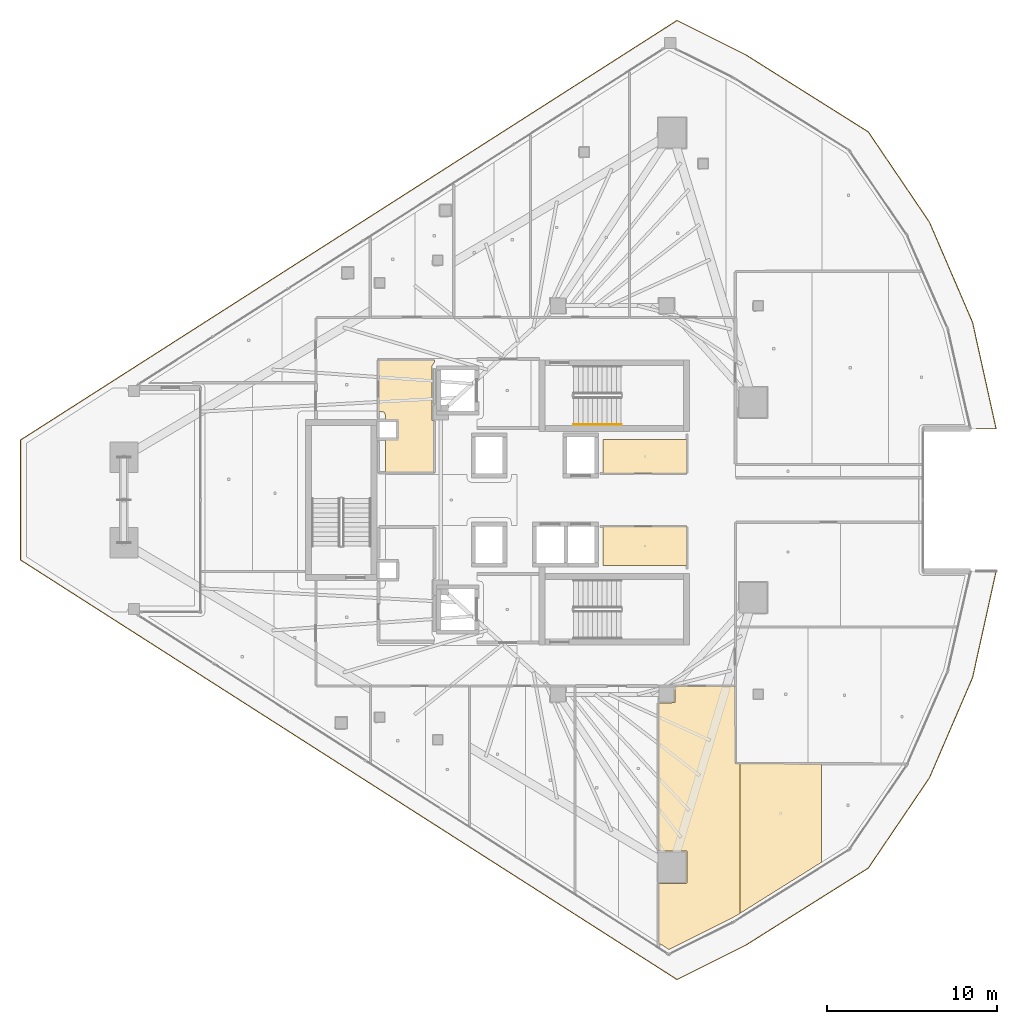
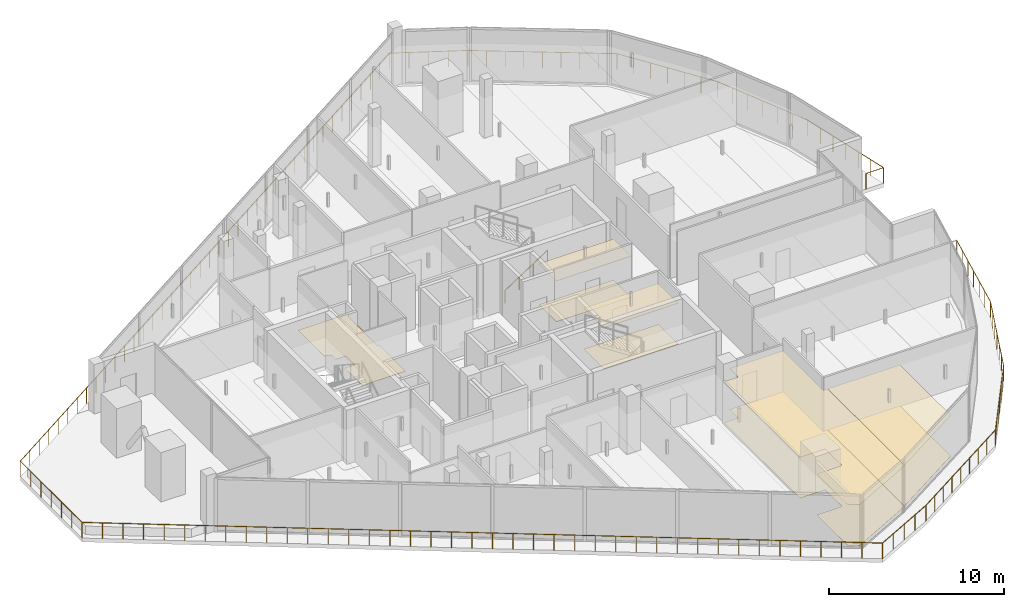
# One storey, part 33 of 36: 9 coverings, 2 railings.
"""IFC4 building model written with IfcOpenShell, lengths in metres."""

from ifc_helpers import new_model, si_unit, direction, frame, origin, origin_2d, place, context, subcontext, project, spatial, polyline, circle, outline, extrude, material, layer, layer_set, type_object, element, save


model = new_model("IFC4")

# Units and contexts
model_context = context("Model", 3, precision=1e-05, world=origin(), true_north=direction((0.0, 1.0)))
body_context = subcontext(model_context, "Body", "Model", "MODEL_VIEW")
ifc_project = project(units=[si_unit("LENGTHUNIT", "METRE"), si_unit("AREAUNIT", "SQUARE_METRE"), si_unit("VOLUMEUNIT", "CUBIC_METRE"), si_unit("PLANEANGLEUNIT", "RADIAN"), si_unit("MASSUNIT", "GRAM", prefix="KILO")], contexts=[model_context])

# Site, building, storey
site_placement = place(None, origin())
site = spatial("IfcSite", under=ifc_project, at=site_placement, CompositionType="ELEMENT")
building_placement = place(site_placement, origin())
building = spatial("IfcBuilding", under=site, at=building_placement, Name="Qorvath Tower", CompositionType="ELEMENT")
storey_placement = place(building_placement, frame((0.0, 0.0, 229.35009765625)))
storey = spatial("IfcBuildingStorey", under=building, at=storey_placement, Name="L53", CompositionType="ELEMENT", Elevation=229.35009765625)

# Coverings
ifc_material_1 = material(Name="Acoustic mineral fibre ceiling tile", Category="gypsum")
ifc_layer_1 = layer(ifc_material_1, 0.030029296875)
ifc_layer_set_1 = layer_set([ifc_layer_1], Name="COV-CEIL")
covering_type_1 = type_object("IfcCoveringType", Name="COV-CEIL", PredefinedType="CEILING", material=ifc_layer_set_1)
covering_1_placement = place(storey_placement, frame((0.0, 0.0, 2.849853515625)))
element("IfcCovering", 1, at=covering_1_placement, inside=storey, type_object=covering_type_1, Name="L53 Suspended Acoustic Ceiling 003", PredefinedType="CEILING", context=body_context, shape_type="SweptSolid", body=[
    extrude(outline(polyline([(-16.0048828125, 3.56005859375), (-20.93994140625, 3.56005859375), (-20.93994140625, 1.56494140625), (-16.0048828125, 1.56494140625), (-16.0048828125, 3.56005859375)])), origin(), (0.0, 0.0, 1.0), 0.030029296875),
])
covering_2_placement = place(storey_placement, frame((0.0, 0.0, 2.849853515625)))
element("IfcCovering", 2, at=covering_2_placement, inside=storey, type_object=covering_type_1, Name="L53 Suspended Acoustic Ceiling 004", PredefinedType="CEILING", context=body_context, shape_type="SweptSolid", body=[
    extrude(outline(polyline([(-20.93994140625, -1.56494140625), (-20.93994140625, -3.85009765625), (-16.0048828125, -3.85009765625), (-16.0048828125, -1.56494140625), (-20.93994140625, -1.56494140625)])), origin(), (0.0, 0.0, 1.0), 0.030029296875),
])
covering_3_placement = place(storey_placement, frame((0.0, 0.0, 2.849853515625)))
element("IfcCovering", 3, at=covering_3_placement, inside=storey, type_object=covering_type_1, Name="L53 Suspended Acoustic Ceiling 025", PredefinedType="CEILING", context=body_context, shape_type="SweptSolid", body=[
    extrude(outline(polyline([(-17.662841796875, -26.096435546875), (-17.0595703125, -26.482177734375), (-13.141845703125, -24.517333984375), (-12.87109375, -24.347900390625), (-12.87109375, -15.5341796875), (-13.14990234375, -15.53369140625), (-13.155029296875, -10.962890625), (-16.705322265625, -10.962890625), (-16.70751953125, -11.9423828125), (-17.662841796875, -11.95458984375), (-17.662841796875, -20.6669921875), (-16.00439453125, -20.6845703125), (-15.98681640625, -22.527099609375), (-16.046630859375, -22.587158203125), (-17.662841796875, -22.587158203125), (-17.662841796875, -26.096435546875)])), origin(), (0.0, 0.0, 1.0), 0.030029296875),
])
covering_4_placement = place(storey_placement, frame((0.0, 0.0, 2.849853515625)))
element("IfcCovering", 4, at=covering_4_placement, inside=storey, type_object=covering_type_1, Name="L53 Suspended Acoustic Ceiling 026", PredefinedType="CEILING", context=body_context, shape_type="SweptSolid", body=[
    extrude(outline(polyline([(-12.87109375, -15.5341796875), (-12.87109375, -24.347900390625), (-8.0791015625, -21.34765625), (-8.0791015625, -15.5419921875), (-12.87109375, -15.5341796875)])), origin(), (0.0, 0.0, 1.0), 0.030029296875),
])
ifc_material_2 = material(Name="Low-VOC modular carpet tile", Category="textile")
ifc_layer_2 = layer(ifc_material_2, 0.014892578125)
ifc_layer_set_2 = layer_set([ifc_layer_2], Name="COV-FLOOR-CPT")
covering_type_2 = type_object("IfcCoveringType", Name="COV-FLOOR-CPT", PredefinedType="FLOORING", material=ifc_layer_set_2)
covering_5_placement = place(storey_placement, origin())
element("IfcCovering", 5, at=covering_5_placement, inside=storey, type_object=covering_type_2, Name="L53 Floor Finish 003", PredefinedType="FLOORING", context=body_context, shape_type="SweptSolid", body=[
    extrude(outline(polyline([(-16.0048828125, 3.56005859375), (-20.93994140625, 3.56005859375), (-20.93994140625, 1.56494140625), (-16.0048828125, 1.56494140625), (-16.0048828125, 3.56005859375)])), origin(), (0.0, 0.0, 1.0), 0.014892578125),
])
covering_6_placement = place(storey_placement, origin())
element("IfcCovering", 6, at=covering_6_placement, inside=storey, type_object=covering_type_2, Name="L53 Floor Finish 004", PredefinedType="FLOORING", context=body_context, shape_type="SweptSolid", body=[
    extrude(outline(polyline([(-20.93994140625, -1.56494140625), (-20.93994140625, -3.85009765625), (-16.0048828125, -3.85009765625), (-16.0048828125, -1.56494140625), (-20.93994140625, -1.56494140625)])), origin(), (0.0, 0.0, 1.0), 0.014892578125),
])
covering_7_placement = place(storey_placement, origin())
element("IfcCovering", 7, at=covering_7_placement, inside=storey, type_object=covering_type_2, Name="L53 Floor Finish 025", PredefinedType="FLOORING", context=body_context, shape_type="SweptSolid", body=[
    extrude(outline(polyline([(-17.662841796875, -26.096435546875), (-17.0595703125, -26.482177734375), (-13.141845703125, -24.517333984375), (-12.87109375, -24.347900390625), (-12.87109375, -15.5341796875), (-13.14990234375, -15.53369140625), (-13.155029296875, -10.962890625), (-16.705322265625, -10.962890625), (-16.70751953125, -11.9423828125), (-17.662841796875, -11.95458984375), (-17.662841796875, -20.6669921875), (-16.00439453125, -20.6845703125), (-15.98681640625, -22.527099609375), (-16.046630859375, -22.587158203125), (-17.662841796875, -22.587158203125), (-17.662841796875, -26.096435546875)])), origin(), (0.0, 0.0, 1.0), 0.014892578125),
])
covering_8_placement = place(storey_placement, origin())
element("IfcCovering", 8, at=covering_8_placement, inside=storey, type_object=covering_type_2, Name="L53 Floor Finish 026", PredefinedType="FLOORING", context=body_context, shape_type="SweptSolid", body=[
    extrude(outline(polyline([(-12.87109375, -15.5341796875), (-12.87109375, -24.347900390625), (-8.0791015625, -21.34765625), (-8.0791015625, -15.5419921875), (-12.87109375, -15.5341796875)])), origin(), (0.0, 0.0, 1.0), 0.014892578125),
])
ifc_material_3 = material(Name="Polished epoxy terrazzo flooring", Category="concrete")
ifc_layer_3 = layer(ifc_material_3, 0.02001953125)
ifc_layer_set_3 = layer_set([ifc_layer_3], Name="COV-FLOOR-TRZ")
covering_type_3 = type_object("IfcCoveringType", Name="COV-FLOOR-TRZ", PredefinedType="FLOORING", material=ifc_layer_set_3)
covering_9_placement = place(storey_placement, origin())
element("IfcCovering", 9, at=covering_9_placement, inside=storey, type_object=covering_type_3, Name="L53 Floor Finish 005", PredefinedType="FLOORING", context=body_context, shape_type="SweptSolid", body=[
    extrude(outline(polyline([(-30.885009765625, 8.2451171875), (-34.175048828125, 8.2451171875), (-34.175048828125, 5.239990234375), (-33.833251953125, 5.166748046875), (-33.760009765625, 4.989990234375), (-33.760009765625, 4.633056640625), (-33.0869140625, 4.6279296875), (-33.08837890625, 3.638427734375), (-33.760009765625, 3.636962890625), (-33.760009765625, 1.60498046875), (-30.885009765625, 1.60498046875), (-30.885009765625, 4.639892578125), (-31.010009765625, 4.699951171875), (-31.010009765625, 7.909912109375), (-30.885009765625, 8.108154296875), (-30.885009765625, 8.2451171875)])), origin(), (0.0, 0.0, 1.0), 0.014892578125),
])

# Railings
ifc_material_4 = material(Name="Laminated safety glass and stainless steel AISI 316", Category="steel")
railing_type_1 = type_object("IfcRailingType", Name="RL-EXT-GRD", PredefinedType="GUARDRAIL", material=ifc_material_4)
railing_1_placement = place(storey_placement, frame((2.22119140625, -4.19580078125, 0.0)))
element("IfcRailing", 10, at=railing_1_placement, inside=storey, type_object=railing_type_1, Name="Loggia Perimeter Guardrail L53-1.1", PredefinedType="GUARDRAIL", context=body_context, shape_type="SweptSolid", body=[
    extrude(circle(Radius=0.02392578125, at=origin_2d()), frame((0.0, 0.0, 1.09619140625), z_axis=(-0.216097540883, -0.976371780023, 0.0), x_axis=(0.976371780023, -0.216097540883, 0.0)), (0.0, 0.0, 1.0), 6.425048828125),
    extrude(circle(Radius=0.02392578125, at=origin_2d()), frame((-1.388427734375, -6.273193359375, 1.09619140625), z_axis=(-0.395477939394, -0.918475475695, 0.0), x_axis=(0.918475475695, -0.395477939394, 0.0)), (0.0, 0.0, 1.0), 6.42529296875),
    extrude(circle(Radius=0.02392578125, at=origin_2d()), frame((-3.929443359375, -12.174560546875, 1.09619140625), z_axis=(-0.560814537223, -0.827941456166, 0.0), x_axis=(0.827941456166, -0.560814537223, 0.0)), (0.0, 0.0, 1.0), 6.425048828125),
    extrude(circle(Radius=0.02392578125, at=origin_2d()), frame((-7.53271484375, -17.494140625, 1.09619140625), z_axis=(-0.846500423706, -0.532388047072, 0.0), x_axis=(0.532388047072, -0.846500423706, 0.0)), (0.0, 0.0, 1.0), 8.544189453125),
    extrude(circle(Radius=0.02392578125, at=origin_2d()), frame((-14.765380859375, -22.04296875, 1.09619140625), z_axis=(-0.894427191, -0.4472135955, 0.0), x_axis=(0.4472135955, -0.894427191, 0.0)), (0.0, 0.0, 1.0), 4.51318359375),
    extrude(circle(Radius=0.02392578125, at=origin_2d()), frame((-18.802001953125, -24.061279296875, 1.09619140625), z_axis=(-0.842606446122, 0.538529829215, 0.0), x_axis=(-0.538529829215, -0.842606446122, 0.0)), (0.0, 0.0, 1.0), 45.911865234375),
    extrude(circle(Radius=0.02392578125, at=origin_2d()), frame((-57.487548828125, 0.66357421875, 1.09619140625), z_axis=(0.0, 1.0, 0.0), x_axis=(-1.0, 0.0, 0.0)), (0.0, 0.0, 1.0), 7.064453125),
    extrude(circle(Radius=0.02392578125, at=origin_2d()), frame((-57.487548828125, 7.72802734375, 1.09619140625), z_axis=(0.842606446122, 0.538529829215, 0.0), x_axis=(-0.538529829215, 0.842606446122, 0.0)), (0.0, 0.0, 1.0), 45.911865234375),
    extrude(circle(Radius=0.02392578125, at=origin_2d()), frame((-18.802001953125, 32.452880859375, 1.09619140625), z_axis=(0.894427191, -0.4472135955, 0.0), x_axis=(0.4472135955, 0.894427191, 0.0)), (0.0, 0.0, 1.0), 4.51318359375),
    extrude(circle(Radius=0.02392578125, at=origin_2d()), frame((-14.765380859375, 30.4345703125, 1.09619140625), z_axis=(0.846500423706, -0.532388047072, 0.0), x_axis=(0.532388047072, 0.846500423706, 0.0)), (0.0, 0.0, 1.0), 8.544189453125),
    extrude(circle(Radius=0.02392578125, at=origin_2d()), frame((-7.53271484375, 25.8857421875, 1.09619140625), z_axis=(0.560814537223, -0.827941456166, 0.0), x_axis=(0.827941456166, 0.560814537223, 0.0)), (0.0, 0.0, 1.0), 6.425048828125),
    extrude(circle(Radius=0.02392578125, at=origin_2d()), frame((-3.929443359375, 20.566162109375, 1.09619140625), z_axis=(0.395477939394, -0.918475475695, 0.0), x_axis=(0.918475475695, 0.395477939394, 0.0)), (0.0, 0.0, 1.0), 6.42529296875),
    extrude(circle(Radius=0.02392578125, at=origin_2d()), frame((-1.388427734375, 14.664794921875, 1.09619140625), z_axis=(0.216097540883, -0.976371780023, 0.0), x_axis=(0.976371780023, 0.216097540883, 0.0)), (0.0, 0.0, 1.0), 6.425048828125),
    extrude(circle(Radius=0.02392578125, at=origin_2d()), frame((0.0, 8.3916015625, 1.09619140625), z_axis=(-1.0, 0.0, 0.0), x_axis=(0.0, -1.0, 0.0)), (0.0, 0.0, 1.0), 1.15869140625),
    extrude(circle(Radius=0.02099609375, at=origin_2d()), origin(), (0.0, 0.0, 1.0), 1.072021484375),
    extrude(circle(Radius=0.02099609375, at=origin_2d()), frame((-0.2314453125, -1.04541015625, 0.0)), (0.0, 0.0, 1.0), 1.072021484375),
    extrude(circle(Radius=0.02099609375, at=origin_2d()), frame((-0.462890625, -2.091064453125, 0.0)), (0.0, 0.0, 1.0), 1.072021484375),
    extrude(circle(Radius=0.02099609375, at=origin_2d()), frame((-0.6943359375, -3.13671875, 0.0)), (0.0, 0.0, 1.0), 1.072021484375),
    extrude(circle(Radius=0.02099609375, at=origin_2d()), frame((-0.925537109375, -4.18212890625, 0.0)), (0.0, 0.0, 1.0), 1.072021484375),
    extrude(circle(Radius=0.02099609375, at=origin_2d()), frame((-1.156982421875, -5.2275390625, 0.0)), (0.0, 0.0, 1.0), 1.072021484375),
    extrude(circle(Radius=0.02099609375, at=origin_2d()), frame((-1.388427734375, -6.273193359375, 0.0)), (0.0, 0.0, 1.0), 1.072021484375),
    extrude(circle(Radius=0.02099609375, at=origin_2d()), frame((-1.81201171875, -7.2568359375, 0.0)), (0.0, 0.0, 1.0), 1.072021484375),
    extrude(circle(Radius=0.02099609375, at=origin_2d()), frame((-2.2353515625, -8.240234375, 0.0)), (0.0, 0.0, 1.0), 1.072021484375),
    extrude(circle(Radius=0.02099609375, at=origin_2d()), frame((-2.658935546875, -9.223876953125, 0.0)), (0.0, 0.0, 1.0), 1.072021484375),
    extrude(circle(Radius=0.02099609375, at=origin_2d()), frame((-3.08251953125, -10.20751953125, 0.0)), (0.0, 0.0, 1.0), 1.072021484375),
    extrude(circle(Radius=0.02099609375, at=origin_2d()), frame((-3.505859375, -11.19091796875, 0.0)), (0.0, 0.0, 1.0), 1.072021484375),
    extrude(circle(Radius=0.02099609375, at=origin_2d()), frame((-3.929443359375, -12.174560546875, 0.0)), (0.0, 0.0, 1.0), 1.072021484375),
    extrude(circle(Radius=0.02099609375, at=origin_2d()), frame((-4.530029296875, -13.06103515625, 0.0)), (0.0, 0.0, 1.0), 1.072021484375),
    extrude(circle(Radius=0.02099609375, at=origin_2d()), frame((-5.130615234375, -13.94775390625, 0.0)), (0.0, 0.0, 1.0), 1.072021484375),
    extrude(circle(Radius=0.02099609375, at=origin_2d()), frame((-5.73095703125, -14.83447265625, 0.0)), (0.0, 0.0, 1.0), 1.072021484375),
    extrude(circle(Radius=0.02099609375, at=origin_2d()), frame((-6.33154296875, -15.720947265625, 0.0)), (0.0, 0.0, 1.0), 1.072021484375),
    extrude(circle(Radius=0.02099609375, at=origin_2d()), frame((-6.93212890625, -16.607421875, 0.0)), (0.0, 0.0, 1.0), 1.072021484375),
    extrude(circle(Radius=0.02099609375, at=origin_2d()), frame((-7.53271484375, -17.494140625, 0.0)), (0.0, 0.0, 1.0), 1.072021484375),
    extrude(circle(Radius=0.02099609375, at=origin_2d()), frame((-8.436767578125, -18.062744140625, 0.0)), (0.0, 0.0, 1.0), 1.072021484375),
    extrude(circle(Radius=0.02099609375, at=origin_2d()), frame((-9.3408203125, -18.63134765625, 0.0)), (0.0, 0.0, 1.0), 1.072021484375),
    extrude(circle(Radius=0.02099609375, at=origin_2d()), frame((-10.244873046875, -19.199951171875, 0.0)), (0.0, 0.0, 1.0), 1.072021484375),
    extrude(circle(Radius=0.02099609375, at=origin_2d()), frame((-11.14892578125, -19.7685546875, 0.0)), (0.0, 0.0, 1.0), 1.072021484375),
    extrude(circle(Radius=0.02099609375, at=origin_2d()), frame((-12.05322265625, -20.337158203125, 0.0)), (0.0, 0.0, 1.0), 1.072021484375),
    extrude(circle(Radius=0.02099609375, at=origin_2d()), frame((-12.957275390625, -20.90576171875, 0.0)), (0.0, 0.0, 1.0), 1.072021484375),
    extrude(circle(Radius=0.02099609375, at=origin_2d()), frame((-13.861328125, -21.474365234375, 0.0)), (0.0, 0.0, 1.0), 1.072021484375),
    extrude(circle(Radius=0.02099609375, at=origin_2d()), frame((-14.765380859375, -22.04296875, 0.0)), (0.0, 0.0, 1.0), 1.072021484375),
    extrude(circle(Radius=0.02099609375, at=origin_2d()), frame((-15.7744140625, -22.547607421875, 0.0)), (0.0, 0.0, 1.0), 1.072021484375),
    extrude(circle(Radius=0.02099609375, at=origin_2d()), frame((-16.78369140625, -23.05224609375, 0.0)), (0.0, 0.0, 1.0), 1.072021484375),
    extrude(circle(Radius=0.02099609375, at=origin_2d()), frame((-17.79296875, -23.556640625, 0.0)), (0.0, 0.0, 1.0), 1.072021484375),
    extrude(circle(Radius=0.02099609375, at=origin_2d()), frame((-18.802001953125, -24.061279296875, 0.0)), (0.0, 0.0, 1.0), 1.072021484375),
    extrude(circle(Radius=0.02099609375, at=origin_2d()), frame((-19.7939453125, -23.42724609375, 0.0)), (0.0, 0.0, 1.0), 1.072021484375),
    extrude(circle(Radius=0.02099609375, at=origin_2d()), frame((-20.785888671875, -22.79345703125, 0.0)), (0.0, 0.0, 1.0), 1.072021484375),
    extrude(circle(Radius=0.02099609375, at=origin_2d()), frame((-21.77783203125, -22.159423828125, 0.0)), (0.0, 0.0, 1.0), 1.072021484375),
    extrude(circle(Radius=0.02099609375, at=origin_2d()), frame((-22.769775390625, -21.525390625, 0.0)), (0.0, 0.0, 1.0), 1.072021484375),
    extrude(circle(Radius=0.02099609375, at=origin_2d()), frame((-23.76171875, -20.891357421875, 0.0)), (0.0, 0.0, 1.0), 1.072021484375),
    extrude(circle(Radius=0.02099609375, at=origin_2d()), frame((-24.753662109375, -20.257568359375, 0.0)), (0.0, 0.0, 1.0), 1.072021484375),
    extrude(circle(Radius=0.02099609375, at=origin_2d()), frame((-25.74560546875, -19.62353515625, 0.0)), (0.0, 0.0, 1.0), 1.072021484375),
    extrude(circle(Radius=0.02099609375, at=origin_2d()), frame((-26.737548828125, -18.989501953125, 0.0)), (0.0, 0.0, 1.0), 1.072021484375),
    extrude(circle(Radius=0.02099609375, at=origin_2d()), frame((-27.7294921875, -18.35546875, 0.0)), (0.0, 0.0, 1.0), 1.072021484375),
    extrude(circle(Radius=0.02099609375, at=origin_2d()), frame((-28.721435546875, -17.7216796875, 0.0)), (0.0, 0.0, 1.0), 1.072021484375),
    extrude(circle(Radius=0.02099609375, at=origin_2d()), frame((-29.71337890625, -17.087646484375, 0.0)), (0.0, 0.0, 1.0), 1.072021484375),
    extrude(circle(Radius=0.02099609375, at=origin_2d()), frame((-30.705322265625, -16.45361328125, 0.0)), (0.0, 0.0, 1.0), 1.072021484375),
    extrude(circle(Radius=0.02099609375, at=origin_2d()), frame((-31.697265625, -15.819580078125, 0.0)), (0.0, 0.0, 1.0), 1.072021484375),
    extrude(circle(Radius=0.02099609375, at=origin_2d()), frame((-32.689208984375, -15.185791015625, 0.0)), (0.0, 0.0, 1.0), 1.072021484375),
    extrude(circle(Radius=0.02099609375, at=origin_2d()), frame((-33.68115234375, -14.5517578125, 0.0)), (0.0, 0.0, 1.0), 1.072021484375),
    extrude(circle(Radius=0.02099609375, at=origin_2d()), frame((-34.673095703125, -13.917724609375, 0.0)), (0.0, 0.0, 1.0), 1.072021484375),
    extrude(circle(Radius=0.02099609375, at=origin_2d()), frame((-35.6650390625, -13.28369140625, 0.0)), (0.0, 0.0, 1.0), 1.072021484375),
    extrude(circle(Radius=0.02099609375, at=origin_2d()), frame((-36.656982421875, -12.64990234375, 0.0)), (0.0, 0.0, 1.0), 1.072021484375),
    extrude(circle(Radius=0.02099609375, at=origin_2d()), frame((-37.64892578125, -12.015869140625, 0.0)), (0.0, 0.0, 1.0), 1.072021484375),
    extrude(circle(Radius=0.02099609375, at=origin_2d()), frame((-38.640625, -11.3818359375, 0.0)), (0.0, 0.0, 1.0), 1.072021484375),
    extrude(circle(Radius=0.02099609375, at=origin_2d()), frame((-39.632568359375, -10.747802734375, 0.0)), (0.0, 0.0, 1.0), 1.072021484375),
    extrude(circle(Radius=0.02099609375, at=origin_2d()), frame((-40.62451171875, -10.114013671875, 0.0)), (0.0, 0.0, 1.0), 1.072021484375),
    extrude(circle(Radius=0.02099609375, at=origin_2d()), frame((-41.616455078125, -9.47998046875, 0.0)), (0.0, 0.0, 1.0), 1.072021484375),
    extrude(circle(Radius=0.02099609375, at=origin_2d()), frame((-42.6083984375, -8.845947265625, 0.0)), (0.0, 0.0, 1.0), 1.072021484375),
    extrude(circle(Radius=0.02099609375, at=origin_2d()), frame((-43.600341796875, -8.2119140625, 0.0)), (0.0, 0.0, 1.0), 1.072021484375),
    extrude(circle(Radius=0.02099609375, at=origin_2d()), frame((-44.59228515625, -7.578125, 0.0)), (0.0, 0.0, 1.0), 1.072021484375),
    extrude(circle(Radius=0.02099609375, at=origin_2d()), frame((-45.584228515625, -6.944091796875, 0.0)), (0.0, 0.0, 1.0), 1.072021484375),
    extrude(circle(Radius=0.02099609375, at=origin_2d()), frame((-46.576171875, -6.31005859375, 0.0)), (0.0, 0.0, 1.0), 1.072021484375),
    extrude(circle(Radius=0.02099609375, at=origin_2d()), frame((-47.568115234375, -5.676025390625, 0.0)), (0.0, 0.0, 1.0), 1.072021484375),
    extrude(circle(Radius=0.02099609375, at=origin_2d()), frame((-48.56005859375, -5.042236328125, 0.0)), (0.0, 0.0, 1.0), 1.072021484375),
    extrude(circle(Radius=0.02099609375, at=origin_2d()), frame((-49.552001953125, -4.408203125, 0.0)), (0.0, 0.0, 1.0), 1.072021484375),
    extrude(circle(Radius=0.02099609375, at=origin_2d()), frame((-50.5439453125, -3.774169921875, 0.0)), (0.0, 0.0, 1.0), 1.072021484375),
    extrude(circle(Radius=0.02099609375, at=origin_2d()), frame((-51.535888671875, -3.14013671875, 0.0)), (0.0, 0.0, 1.0), 1.072021484375),
    extrude(circle(Radius=0.02099609375, at=origin_2d()), frame((-52.52783203125, -2.50634765625, 0.0)), (0.0, 0.0, 1.0), 1.072021484375),
    extrude(circle(Radius=0.02099609375, at=origin_2d()), frame((-53.519775390625, -1.872314453125, 0.0)), (0.0, 0.0, 1.0), 1.072021484375),
    extrude(circle(Radius=0.02099609375, at=origin_2d()), frame((-54.51171875, -1.23828125, 0.0)), (0.0, 0.0, 1.0), 1.072021484375),
    extrude(circle(Radius=0.02099609375, at=origin_2d()), frame((-55.503662109375, -0.604248046875, 0.0)), (0.0, 0.0, 1.0), 1.072021484375),
    extrude(circle(Radius=0.02099609375, at=origin_2d()), frame((-56.49560546875, 0.029541015625, 0.0)), (0.0, 0.0, 1.0), 1.072021484375),
    extrude(circle(Radius=0.02099609375, at=origin_2d()), frame((-57.487548828125, 0.66357421875, 0.0)), (0.0, 0.0, 1.0), 1.072021484375),
    extrude(circle(Radius=0.02099609375, at=origin_2d()), frame((-57.487548828125, 1.841064453125, 0.0)), (0.0, 0.0, 1.0), 1.072021484375),
    extrude(circle(Radius=0.02099609375, at=origin_2d()), frame((-57.487548828125, 3.018310546875, 0.0)), (0.0, 0.0, 1.0), 1.072021484375),
    extrude(circle(Radius=0.02099609375, at=origin_2d()), frame((-57.487548828125, 4.19580078125, 0.0)), (0.0, 0.0, 1.0), 1.072021484375),
    extrude(circle(Radius=0.02099609375, at=origin_2d()), frame((-57.487548828125, 5.373291015625, 0.0)), (0.0, 0.0, 1.0), 1.072021484375),
    extrude(circle(Radius=0.02099609375, at=origin_2d()), frame((-57.487548828125, 6.550537109375, 0.0)), (0.0, 0.0, 1.0), 1.072021484375),
    extrude(circle(Radius=0.02099609375, at=origin_2d()), frame((-57.487548828125, 7.72802734375, 0.0)), (0.0, 0.0, 1.0), 1.072021484375),
    extrude(circle(Radius=0.02099609375, at=origin_2d()), frame((-56.49560546875, 8.362060546875, 0.0)), (0.0, 0.0, 1.0), 1.072021484375),
    extrude(circle(Radius=0.02099609375, at=origin_2d()), frame((-55.503662109375, 8.995849609375, 0.0)), (0.0, 0.0, 1.0), 1.072021484375),
    extrude(circle(Radius=0.02099609375, at=origin_2d()), frame((-54.51171875, 9.6298828125, 0.0)), (0.0, 0.0, 1.0), 1.072021484375),
    extrude(circle(Radius=0.02099609375, at=origin_2d()), frame((-53.519775390625, 10.263916015625, 0.0)), (0.0, 0.0, 1.0), 1.072021484375),
    extrude(circle(Radius=0.02099609375, at=origin_2d()), frame((-52.52783203125, 10.89794921875, 0.0)), (0.0, 0.0, 1.0), 1.072021484375),
    extrude(circle(Radius=0.02099609375, at=origin_2d()), frame((-51.535888671875, 11.53173828125, 0.0)), (0.0, 0.0, 1.0), 1.072021484375),
    extrude(circle(Radius=0.02099609375, at=origin_2d()), frame((-50.5439453125, 12.165771484375, 0.0)), (0.0, 0.0, 1.0), 1.072021484375),
    extrude(circle(Radius=0.02099609375, at=origin_2d()), frame((-49.552001953125, 12.7998046875, 0.0)), (0.0, 0.0, 1.0), 1.072021484375),
    extrude(circle(Radius=0.02099609375, at=origin_2d()), frame((-48.56005859375, 13.433837890625, 0.0)), (0.0, 0.0, 1.0), 1.072021484375),
    extrude(circle(Radius=0.02099609375, at=origin_2d()), frame((-47.568115234375, 14.067626953125, 0.0)), (0.0, 0.0, 1.0), 1.072021484375),
    extrude(circle(Radius=0.02099609375, at=origin_2d()), frame((-46.576171875, 14.70166015625, 0.0)), (0.0, 0.0, 1.0), 1.072021484375),
    extrude(circle(Radius=0.02099609375, at=origin_2d()), frame((-45.584228515625, 15.335693359375, 0.0)), (0.0, 0.0, 1.0), 1.072021484375),
    extrude(circle(Radius=0.02099609375, at=origin_2d()), frame((-44.59228515625, 15.9697265625, 0.0)), (0.0, 0.0, 1.0), 1.072021484375),
    extrude(circle(Radius=0.02099609375, at=origin_2d()), frame((-43.600341796875, 16.603515625, 0.0)), (0.0, 0.0, 1.0), 1.072021484375),
    extrude(circle(Radius=0.02099609375, at=origin_2d()), frame((-42.6083984375, 17.237548828125, 0.0)), (0.0, 0.0, 1.0), 1.072021484375),
    extrude(circle(Radius=0.02099609375, at=origin_2d()), frame((-41.616455078125, 17.87158203125, 0.0)), (0.0, 0.0, 1.0), 1.072021484375),
    extrude(circle(Radius=0.02099609375, at=origin_2d()), frame((-40.62451171875, 18.505615234375, 0.0)), (0.0, 0.0, 1.0), 1.072021484375),
    extrude(circle(Radius=0.02099609375, at=origin_2d()), frame((-39.632568359375, 19.139404296875, 0.0)), (0.0, 0.0, 1.0), 1.072021484375),
    extrude(circle(Radius=0.02099609375, at=origin_2d()), frame((-38.640625, 19.7734375, 0.0)), (0.0, 0.0, 1.0), 1.072021484375),
    extrude(circle(Radius=0.02099609375, at=origin_2d()), frame((-37.64892578125, 20.407470703125, 0.0)), (0.0, 0.0, 1.0), 1.072021484375),
    extrude(circle(Radius=0.02099609375, at=origin_2d()), frame((-36.656982421875, 21.04150390625, 0.0)), (0.0, 0.0, 1.0), 1.072021484375),
    extrude(circle(Radius=0.02099609375, at=origin_2d()), frame((-35.6650390625, 21.67529296875, 0.0)), (0.0, 0.0, 1.0), 1.072021484375),
    extrude(circle(Radius=0.02099609375, at=origin_2d()), frame((-34.673095703125, 22.309326171875, 0.0)), (0.0, 0.0, 1.0), 1.072021484375),
    extrude(circle(Radius=0.02099609375, at=origin_2d()), frame((-33.68115234375, 22.943359375, 0.0)), (0.0, 0.0, 1.0), 1.072021484375),
    extrude(circle(Radius=0.02099609375, at=origin_2d()), frame((-32.689208984375, 23.577392578125, 0.0)), (0.0, 0.0, 1.0), 1.072021484375),
    extrude(circle(Radius=0.02099609375, at=origin_2d()), frame((-31.697265625, 24.211181640625, 0.0)), (0.0, 0.0, 1.0), 1.072021484375),
    extrude(circle(Radius=0.02099609375, at=origin_2d()), frame((-30.705322265625, 24.84521484375, 0.0)), (0.0, 0.0, 1.0), 1.072021484375),
    extrude(circle(Radius=0.02099609375, at=origin_2d()), frame((-29.71337890625, 25.479248046875, 0.0)), (0.0, 0.0, 1.0), 1.072021484375),
    extrude(circle(Radius=0.02099609375, at=origin_2d()), frame((-28.721435546875, 26.11328125, 0.0)), (0.0, 0.0, 1.0), 1.072021484375),
    extrude(circle(Radius=0.02099609375, at=origin_2d()), frame((-27.7294921875, 26.7470703125, 0.0)), (0.0, 0.0, 1.0), 1.072021484375),
    extrude(circle(Radius=0.02099609375, at=origin_2d()), frame((-26.737548828125, 27.381103515625, 0.0)), (0.0, 0.0, 1.0), 1.072021484375),
    extrude(circle(Radius=0.02099609375, at=origin_2d()), frame((-25.74560546875, 28.01513671875, 0.0)), (0.0, 0.0, 1.0), 1.072021484375),
    extrude(circle(Radius=0.02099609375, at=origin_2d()), frame((-24.753662109375, 28.649169921875, 0.0)), (0.0, 0.0, 1.0), 1.072021484375),
    extrude(circle(Radius=0.02099609375, at=origin_2d()), frame((-23.76171875, 29.282958984375, 0.0)), (0.0, 0.0, 1.0), 1.072021484375),
    extrude(circle(Radius=0.02099609375, at=origin_2d()), frame((-22.769775390625, 29.9169921875, 0.0)), (0.0, 0.0, 1.0), 1.072021484375),
    extrude(circle(Radius=0.02099609375, at=origin_2d()), frame((-21.77783203125, 30.551025390625, 0.0)), (0.0, 0.0, 1.0), 1.072021484375),
    extrude(circle(Radius=0.02099609375, at=origin_2d()), frame((-20.785888671875, 31.18505859375, 0.0)), (0.0, 0.0, 1.0), 1.072021484375),
    extrude(circle(Radius=0.02099609375, at=origin_2d()), frame((-19.7939453125, 31.81884765625, 0.0)), (0.0, 0.0, 1.0), 1.072021484375),
    extrude(circle(Radius=0.02099609375, at=origin_2d()), frame((-18.802001953125, 32.452880859375, 0.0)), (0.0, 0.0, 1.0), 1.072021484375),
    extrude(circle(Radius=0.02099609375, at=origin_2d()), frame((-17.79296875, 31.9482421875, 0.0)), (0.0, 0.0, 1.0), 1.072021484375),
    extrude(circle(Radius=0.02099609375, at=origin_2d()), frame((-16.78369140625, 31.44384765625, 0.0)), (0.0, 0.0, 1.0), 1.072021484375),
    extrude(circle(Radius=0.02099609375, at=origin_2d()), frame((-15.7744140625, 30.939208984375, 0.0)), (0.0, 0.0, 1.0), 1.072021484375),
    extrude(circle(Radius=0.02099609375, at=origin_2d()), frame((-14.765380859375, 30.4345703125, 0.0)), (0.0, 0.0, 1.0), 1.072021484375),
    extrude(circle(Radius=0.02099609375, at=origin_2d()), frame((-13.861328125, 29.865966796875, 0.0)), (0.0, 0.0, 1.0), 1.072021484375),
    extrude(circle(Radius=0.02099609375, at=origin_2d()), frame((-12.957275390625, 29.29736328125, 0.0)), (0.0, 0.0, 1.0), 1.072021484375),
    extrude(circle(Radius=0.02099609375, at=origin_2d()), frame((-12.05322265625, 28.728759765625, 0.0)), (0.0, 0.0, 1.0), 1.072021484375),
    extrude(circle(Radius=0.02099609375, at=origin_2d()), frame((-11.14892578125, 28.16015625, 0.0)), (0.0, 0.0, 1.0), 1.072021484375),
    extrude(circle(Radius=0.02099609375, at=origin_2d()), frame((-10.244873046875, 27.591552734375, 0.0)), (0.0, 0.0, 1.0), 1.072021484375),
    extrude(circle(Radius=0.02099609375, at=origin_2d()), frame((-9.3408203125, 27.02294921875, 0.0)), (0.0, 0.0, 1.0), 1.072021484375),
    extrude(circle(Radius=0.02099609375, at=origin_2d()), frame((-8.436767578125, 26.454345703125, 0.0)), (0.0, 0.0, 1.0), 1.072021484375),
    extrude(circle(Radius=0.02099609375, at=origin_2d()), frame((-7.53271484375, 25.8857421875, 0.0)), (0.0, 0.0, 1.0), 1.072021484375),
    extrude(circle(Radius=0.02099609375, at=origin_2d()), frame((-6.93212890625, 24.9990234375, 0.0)), (0.0, 0.0, 1.0), 1.072021484375),
    extrude(circle(Radius=0.02099609375, at=origin_2d()), frame((-6.33154296875, 24.112548828125, 0.0)), (0.0, 0.0, 1.0), 1.072021484375),
    extrude(circle(Radius=0.02099609375, at=origin_2d()), frame((-5.73095703125, 23.22607421875, 0.0)), (0.0, 0.0, 1.0), 1.072021484375),
    extrude(circle(Radius=0.02099609375, at=origin_2d()), frame((-5.130615234375, 22.33935546875, 0.0)), (0.0, 0.0, 1.0), 1.072021484375),
    extrude(circle(Radius=0.02099609375, at=origin_2d()), frame((-4.530029296875, 21.45263671875, 0.0)), (0.0, 0.0, 1.0), 1.072021484375),
    extrude(circle(Radius=0.02099609375, at=origin_2d()), frame((-3.929443359375, 20.566162109375, 0.0)), (0.0, 0.0, 1.0), 1.072021484375),
    extrude(circle(Radius=0.02099609375, at=origin_2d()), frame((-3.505859375, 19.58251953125, 0.0)), (0.0, 0.0, 1.0), 1.072021484375),
    extrude(circle(Radius=0.02099609375, at=origin_2d()), frame((-3.08251953125, 18.59912109375, 0.0)), (0.0, 0.0, 1.0), 1.072021484375),
    extrude(circle(Radius=0.02099609375, at=origin_2d()), frame((-2.658935546875, 17.615478515625, 0.0)), (0.0, 0.0, 1.0), 1.072021484375),
    extrude(circle(Radius=0.02099609375, at=origin_2d()), frame((-2.2353515625, 16.6318359375, 0.0)), (0.0, 0.0, 1.0), 1.072021484375),
    extrude(circle(Radius=0.02099609375, at=origin_2d()), frame((-1.81201171875, 15.6484375, 0.0)), (0.0, 0.0, 1.0), 1.072021484375),
    extrude(circle(Radius=0.02099609375, at=origin_2d()), frame((-1.388427734375, 14.664794921875, 0.0)), (0.0, 0.0, 1.0), 1.072021484375),
    extrude(circle(Radius=0.02099609375, at=origin_2d()), frame((-1.156982421875, 13.619140625, 0.0)), (0.0, 0.0, 1.0), 1.072021484375),
    extrude(circle(Radius=0.02099609375, at=origin_2d()), frame((-0.925537109375, 12.57373046875, 0.0)), (0.0, 0.0, 1.0), 1.072021484375),
    extrude(circle(Radius=0.02099609375, at=origin_2d()), frame((-0.6943359375, 11.5283203125, 0.0)), (0.0, 0.0, 1.0), 1.072021484375),
    extrude(circle(Radius=0.02099609375, at=origin_2d()), frame((-0.462890625, 10.482666015625, 0.0)), (0.0, 0.0, 1.0), 1.072021484375),
    extrude(circle(Radius=0.02099609375, at=origin_2d()), frame((-0.2314453125, 9.43701171875, 0.0)), (0.0, 0.0, 1.0), 1.072021484375),
    extrude(circle(Radius=0.02099609375, at=origin_2d()), frame((0.0, 8.3916015625, 0.0)), (0.0, 0.0, 1.0), 1.072021484375),
    extrude(circle(Radius=0.02099609375, at=origin_2d()), frame((-1.15869140625, 8.3916015625, 0.0)), (0.0, 0.0, 1.0), 1.072021484375),
])
ifc_material_5 = material(Name="Brushed stainless steel AISI 304", Category="steel")
railing_type_2 = type_object("IfcRailingType", Name="RL-STR-HND", PredefinedType="HANDRAIL", material=ifc_material_5)
railing_2_placement = place(storey_placement, frame((-22.669921875, 4.449951171875, 0.18408203125)))
element("IfcRailing", 11, at=railing_2_placement, inside=storey, type_object=railing_type_2, Name="L53 TS1 stair handrail 1", PredefinedType="HANDRAIL", context=body_context, shape_type="SweptSolid", body=[
    extrude(circle(Radius=0.02392578125, at=origin_2d()), frame((0.0, 0.0, 0.8759765625), z_axis=(0.835575518608, 0.0, 0.549375602573), x_axis=(0.0, 1.0, 0.0)), (0.0, 0.0, 1.0), 3.350830078125),
    extrude(circle(Radius=0.02099609375, at=origin_2d()), origin(), (0.0, 0.0, 1.0), 0.851806640625),
    extrude(circle(Radius=0.02099609375, at=origin_2d()), frame((0.933349609375, 0.0, 0.613525390625)), (0.0, 0.0, 1.0), 0.851806640625),
    extrude(circle(Radius=0.02099609375, at=origin_2d()), frame((1.866455078125, 0.0, 1.227294921875)), (0.0, 0.0, 1.0), 0.851806640625),
    extrude(circle(Radius=0.02099609375, at=origin_2d()), frame((2.7998046875, 0.0, 1.8408203125)), (0.0, 0.0, 1.0), 0.851806640625),
])

save(model, "model.ifc")
